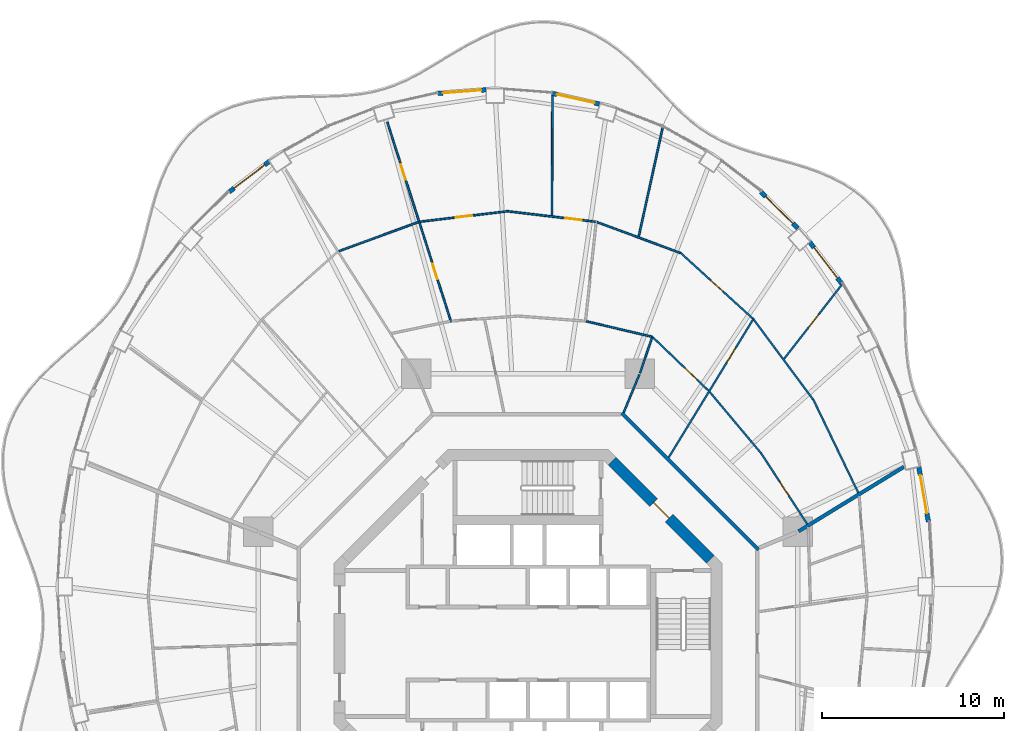
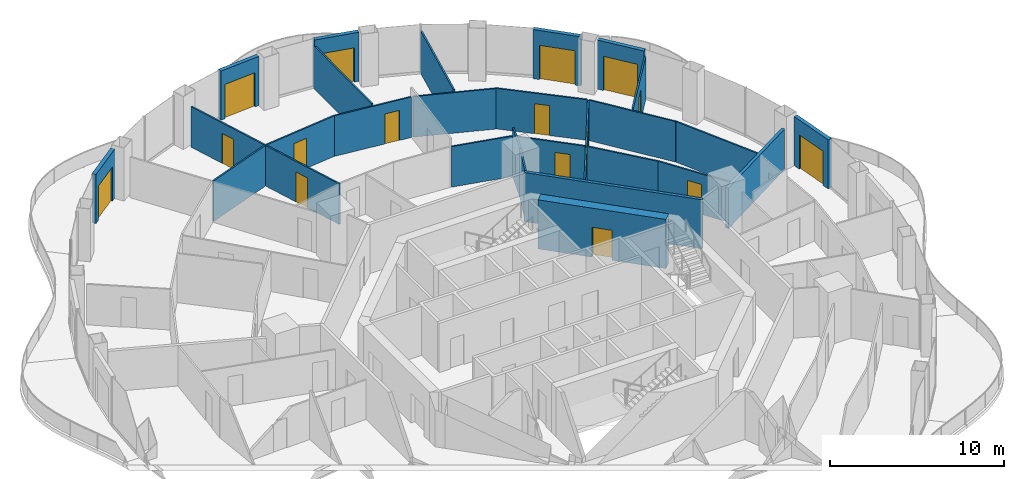
# One storey, part 14 of 18: 27 walls, 16 doors, 16 openings.
"""IFC4 building model written with IfcOpenShell, lengths in metres."""

from ifc_helpers import new_model, si_unit, direction, frame, frame_2d, origin, place, context, subcontext, project, spatial, rectangle, extrude, material, layer, layer_set, type_object, element, fill, save


model = new_model("IFC4")

# Units and contexts
model_context = context("Model", 3, precision=1e-05, world=origin(), true_north=direction((0.0, 1.0)))
body_context = subcontext(model_context, "Body", "Model", "MODEL_VIEW")
ifc_project = project(units=[si_unit("LENGTHUNIT", "METRE"), si_unit("AREAUNIT", "SQUARE_METRE"), si_unit("VOLUMEUNIT", "CUBIC_METRE"), si_unit("PLANEANGLEUNIT", "RADIAN"), si_unit("MASSUNIT", "GRAM", prefix="KILO")], contexts=[model_context])

# Site, building, storey
site_placement = place(None, origin())
site = spatial("IfcSite", under=ifc_project, at=site_placement, CompositionType="ELEMENT")
building_placement = place(site_placement, origin())
building = spatial("IfcBuilding", under=site, at=building_placement, Name="Nagisa Residences", CompositionType="ELEMENT")
storey_placement = place(building_placement, frame((0.0, 0.0, 215.89990234375)))
storey = spatial("IfcBuildingStorey", under=building, at=storey_placement, Name="L54", CompositionType="ELEMENT", Elevation=215.89990234375)

# Walls
ifc_material_1 = material(Name="Gypsum board on steel studs", Category="steel")
ifc_layer_1 = layer(ifc_material_1, 0.199951171875)
ifc_layer_set_1 = layer_set([ifc_layer_1], Name="Apartment compartment wall EI60 200")
wall_type_1 = type_object("IfcWallType", Name="Apartment compartment wall EI60 200", PredefinedType="PARTITIONING", material=ifc_layer_set_1)
wall_1_placement = place(storey_placement, frame((14.82470703125, 6.149169921875, 0.0), z_axis=(0.0, 0.0, 1.0), x_axis=(0.852781365284, 0.522268075824, 0.0)))
element("IfcWall", 1, at=wall_1_placement, inside=storey, type_object=wall_type_1, Name="wall:L54:u01", PredefinedType="PARTITIONING", context=body_context, shape_type="SweptSolid", body=[
    extrude(rectangle(XDim=6.758056640625, YDim=0.199951171875, at=frame_2d((3.37890625, 0.0))), origin(), (0.0, 0.0, 1.0), 2.837158203125),
])
ifc_material_2 = material(Name="Gypsum board on steel studs", Category="steel")
ifc_layer_2 = layer(ifc_material_2, 0.199951171875)
ifc_layer_set_2 = layer_set([ifc_layer_2], Name="Apartment entry wall EI60 200")
wall_type_2 = type_object("IfcWallType", Name="Apartment entry wall EI60 200", PredefinedType="PARTITIONING", material=ifc_layer_set_2)
wall_2_placement = place(storey_placement, frame((12.635498046875, 5.1337890625, 0.0), z_axis=(0.0, 0.0, 1.0), x_axis=(-0.707106781187, 0.707106781187, 0.0)))
element("IfcWall", 2, at=wall_2_placement, inside=storey, type_object=wall_type_2, Name="wall:L54:u09", PredefinedType="PARTITIONING", context=body_context, shape_type="SweptSolid", body=[
    extrude(rectangle(XDim=10.609130859375, YDim=0.199951171875, at=frame_2d((5.3046875, 0.0))), origin(), (0.0, 0.0, 1.0), 3.440185546875),
])

# Wall, opening, door
ifc_material_3 = material(Name="Gypsum board on steel studs", Category="steel")
ifc_layer_3 = layer(ifc_material_3, 0.10009765625)
ifc_layer_set_3 = layer_set([ifc_layer_3], Name="Apartment partition 100")
wall_type_3 = type_object("IfcWallType", Name="Apartment partition 100", PredefinedType="PARTITIONING", material=ifc_layer_set_3)
wall_3_placement = place(storey_placement, frame((15.295166015625, 6.554443359375, 0.0), z_axis=(0.0, 0.0, 1.0), x_axis=(-0.545186120363, 0.838315032767, 0.0)))
wall_3 = element("IfcWall", 3, at=wall_3_placement, inside=storey, type_object=wall_type_3, Name="wall:L54:u21", PredefinedType="PARTITIONING", context=body_context, shape_type="SweptSolid", body=[
    extrude(rectangle(XDim=4.642578125, YDim=0.10009765625, at=frame_2d((2.3212890625, 0.0))), origin(), (0.0, 0.0, 1.0), 2.837158203125),
])
opening_1_placement = place(wall_3_placement, frame((1.84619140625, 0.0, 0.0)))
opening_1 = element("IfcOpeningElement", 4, at=opening_1_placement, cuts=wall_3, Name="Opening L54-U19", PredefinedType="OPENING", context=body_context, shape_type="SweptSolid", body=[
    extrude(rectangle(XDim=0.89990234375, YDim=2.10009765625, at=frame_2d((0.449951171875, 1.050048828125))), frame((0.0, 0.06005859375, 0.0), z_axis=(0.0, -1.0, 0.0), x_axis=(1.0, 0.0, 0.0)), (0.0, 0.0, 1.0), 0.1201171875),
])
ifc_material_4 = material(Name="Timber door set", Category="wood")
door_type_1 = type_object("IfcDoorType", Name="Apartment door 900x2100", OperationType="NOTDEFINED", PredefinedType="DOOR", material=ifc_material_4)
door_1_placement = place(opening_1_placement, origin())
door_1 = element("IfcDoor", 5, at=door_1_placement, inside=storey, type_object=door_type_1, Name="Door to store, Apartment 54A", OperationType="SINGLE_SWING_LEFT", OverallHeight=2.10009765625, OverallWidth=0.89990234375, PredefinedType="DOOR", context=body_context, shape_type="SweptSolid", body=[
    extrude(rectangle(XDim=0.89990234375, YDim=2.10009765625, at=frame_2d((0.449951171875, 1.050048828125))), frame((0.0, 0.02490234375, 0.0), z_axis=(0.0, -1.0, 0.0), x_axis=(1.0, 0.0, 0.0)), (0.0, 0.0, 1.0), 0.050048828125),
])
fill(opening_1, door_1)

# Walls
wall_4_placement = place(storey_placement, frame((18.094970703125, 8.2685546875, 0.0), z_axis=(0.0, 0.0, 1.0), x_axis=(-0.434640773561, 0.900603907363, 0.0)))
element("IfcWall", 6, at=wall_4_placement, inside=storey, type_object=wall_type_3, Name="wall:L54:u22", PredefinedType="PARTITIONING", context=body_context, shape_type="SweptSolid", body=[
    extrude(rectangle(XDim=5.67431640625, YDim=0.10009765625, at=frame_2d((2.837158203125, 0.0))), origin(), (0.0, 0.0, 1.0), 2.837158203125),
])
wall_5_placement = place(storey_placement, frame((12.75927734375, 10.442626953125, 0.0), z_axis=(0.0, 0.0, 1.0), x_axis=(-0.642225196965, 0.766516011825, 0.0)))
element("IfcWall", 7, at=wall_5_placement, inside=storey, type_object=wall_type_3, Name="wall:L54:u23", PredefinedType="PARTITIONING", context=body_context, shape_type="SweptSolid", body=[
    extrude(rectangle(XDim=4.360595703125, YDim=0.10009765625, at=frame_2d((2.18017578125, 0.0))), origin(), (0.0, 0.0, 1.0), 2.837158203125),
])
wall_6_placement = place(storey_placement, frame((15.62060546875, 13.3740234375, 0.0), z_axis=(0.0, 0.0, 1.0), x_axis=(-0.596174489482, 0.8028548923, 0.0)))
element("IfcWall", 8, at=wall_6_placement, inside=storey, type_object=wall_type_3, Name="wall:L54:u24", PredefinedType="PARTITIONING", context=body_context, shape_type="SweptSolid", body=[
    extrude(rectangle(XDim=5.44189453125, YDim=0.10009765625, at=frame_2d((2.720947265625, 0.0))), origin(), (0.0, 0.0, 1.0), 2.837158203125),
])

# Wall, opening, door
wall_7_placement = place(storey_placement, frame((14.029052734375, 15.597900390625, 0.0), z_axis=(0.0, 0.0, 1.0), x_axis=(0.614558710688, 0.788871086501, 0.0)))
wall_7 = element("IfcWall", 9, at=wall_7_placement, inside=storey, type_object=wall_type_3, Name="wall:L54:u25", PredefinedType="PARTITIONING", context=body_context, shape_type="SweptSolid", body=[
    extrude(rectangle(XDim=5.276123046875, YDim=0.10009765625, at=frame_2d((2.63818359375, 0.0))), origin(), (0.0, 0.0, 1.0), 2.983154296875),
])
opening_2_placement = place(wall_7_placement, frame((2.18798828125, 0.0, 0.0)))
opening_2 = element("IfcOpeningElement", 10, at=opening_2_placement, cuts=wall_7, Name="Opening L54-U18", PredefinedType="OPENING", context=body_context, shape_type="SweptSolid", body=[
    extrude(rectangle(XDim=0.89990234375, YDim=2.10009765625, at=frame_2d((0.449951171875, 1.050048828125))), frame((0.0, 0.06005859375, 0.0), z_axis=(0.0, -1.0, 0.0), x_axis=(1.0, 0.0, 0.0)), (0.0, 0.0, 1.0), 0.1201171875),
])
door_2_placement = place(opening_2_placement, frame((0.89990234375, 0.0, 0.0), x_axis=(-1.0, 0.0, 0.0)))
door_2 = element("IfcDoor", 11, at=door_2_placement, inside=storey, type_object=door_type_1, Name="Door to master bedroom, Apartment 54A", OperationType="SINGLE_SWING_LEFT", OverallHeight=2.10009765625, OverallWidth=0.89990234375, PredefinedType="DOOR", context=body_context, shape_type="SweptSolid", body=[
    extrude(rectangle(XDim=0.89990234375, YDim=2.10009765625, at=frame_2d((0.449951171875, 1.050048828125))), frame((0.0, 0.02490234375, 0.0), z_axis=(0.0, -1.0, 0.0), x_axis=(1.0, 0.0, 0.0)), (0.0, 0.0, 1.0), 0.050048828125),
])
fill(opening_2, door_2)

wall_8_placement = place(storey_placement, frame((7.7099609375, 10.19677734375, 0.0), z_axis=(0.0, 0.0, 1.0), x_axis=(0.521477621335, 0.853264959111, 0.0)))
wall_8 = element("IfcWall", 12, at=wall_8_placement, inside=storey, type_object=wall_type_3, Name="wall:L54:u26", PredefinedType="PARTITIONING", context=body_context, shape_type="SweptSolid", body=[
    extrude(rectangle(XDim=8.941162109375, YDim=0.10009765625, at=frame_2d((4.470703125, 0.0))), origin(), (0.0, 0.0, 1.0), 2.76220703125),
])
opening_3_placement = place(wall_8_placement, frame((6.120849609375, 0.0, 0.0)))
opening_3 = element("IfcOpeningElement", 13, at=opening_3_placement, cuts=wall_8, Name="Opening L54-U17", PredefinedType="OPENING", context=body_context, shape_type="SweptSolid", body=[
    extrude(rectangle(XDim=0.89990234375, YDim=2.10009765625, at=frame_2d((0.449951171875, 1.050048828125))), frame((0.0, 0.06005859375, 0.0), z_axis=(0.0, -1.0, 0.0), x_axis=(1.0, 0.0, 0.0)), (0.0, 0.0, 1.0), 0.1201171875),
])
door_3_placement = place(opening_3_placement, frame((0.89990234375, 0.0, 0.0), x_axis=(-1.0, 0.0, 0.0)))
door_3 = element("IfcDoor", 14, at=door_3_placement, inside=storey, type_object=door_type_1, Name="Door to kitchen, Apartment 54A", OperationType="SINGLE_SWING_RIGHT", OverallHeight=2.10009765625, OverallWidth=0.89990234375, PredefinedType="DOOR", context=body_context, shape_type="SweptSolid", body=[
    extrude(rectangle(XDim=0.89990234375, YDim=2.10009765625, at=frame_2d((0.449951171875, 1.050048828125))), frame((0.0, 0.02490234375, 0.0), z_axis=(0.0, -1.0, 0.0), x_axis=(1.0, 0.0, 0.0)), (0.0, 0.0, 1.0), 0.050048828125),
])
fill(opening_3, door_3)

wall_9_placement = place(storey_placement, frame((9.890380859375, 13.858154296875, 0.0), z_axis=(0.0, 0.0, 1.0), x_axis=(-0.72167233993, 0.692234811159, 0.0)))
wall_9 = element("IfcWall", 15, at=wall_9_placement, inside=storey, type_object=wall_type_3, Name="wall:L54:u27", PredefinedType="PARTITIONING", context=body_context, shape_type="SweptSolid", body=[
    extrude(rectangle(XDim=4.312744140625, YDim=0.10009765625, at=frame_2d((2.15625, 0.0))), origin(), (0.0, 0.0, 1.0), 2.837158203125),
])
opening_4_placement = place(wall_9_placement, frame((0.882568359375, 0.0, 0.0)))
opening_4 = element("IfcOpeningElement", 16, at=opening_4_placement, cuts=wall_9, Name="Opening L54-U16", PredefinedType="OPENING", context=body_context, shape_type="SweptSolid", body=[
    extrude(rectangle(XDim=0.89990234375, YDim=2.10009765625, at=frame_2d((0.449951171875, 1.050048828125))), frame((0.0, 0.06005859375, 0.0), z_axis=(0.0, -1.0, 0.0), x_axis=(1.0, 0.0, 0.0)), (0.0, 0.0, 1.0), 0.1201171875),
])
door_4_placement = place(opening_4_placement, origin())
door_4 = element("IfcDoor", 17, at=door_4_placement, inside=storey, type_object=door_type_1, Name="Door to laundry, Apartment 54A", OperationType="SINGLE_SWING_RIGHT", OverallHeight=2.10009765625, OverallWidth=0.89990234375, PredefinedType="DOOR", context=body_context, shape_type="SweptSolid", body=[
    extrude(rectangle(XDim=0.89990234375, YDim=2.10009765625, at=frame_2d((0.449951171875, 1.050048828125))), frame((0.0, 0.02490234375, 0.0), z_axis=(0.0, -1.0, 0.0), x_axis=(1.0, 0.0, 0.0)), (0.0, 0.0, 1.0), 0.050048828125),
])
fill(opening_4, door_4)

wall_10_placement = place(storey_placement, frame((12.3095703125, 17.81689453125, 0.0), z_axis=(0.0, 0.0, 1.0), x_axis=(-0.739697052892, 0.672940019573, 0.0)))
wall_10 = element("IfcWall", 18, at=wall_10_placement, inside=storey, type_object=wall_type_3, Name="wall:L54:u28", PredefinedType="PARTITIONING", context=body_context, shape_type="SweptSolid", body=[
    extrude(rectangle(XDim=5.364990234375, YDim=0.10009765625, at=frame_2d((2.6826171875, 0.0))), origin(), (0.0, 0.0, 1.0), 2.837158203125),
])
opening_5_placement = place(wall_10_placement, frame((2.20751953125, 0.0, 0.0)))
opening_5 = element("IfcOpeningElement", 19, at=opening_5_placement, cuts=wall_10, Name="Opening L54-U15", PredefinedType="OPENING", context=body_context, shape_type="SweptSolid", body=[
    extrude(rectangle(XDim=0.89990234375, YDim=2.10009765625, at=frame_2d((0.449951171875, 1.050048828125))), frame((0.0, 0.06005859375, 0.0), z_axis=(0.0, -1.0, 0.0), x_axis=(1.0, 0.0, 0.0)), (0.0, 0.0, 1.0), 0.1201171875),
])
door_5_placement = place(opening_5_placement, frame((0.89990234375, 0.0, 0.0), x_axis=(-1.0, 0.0, 0.0)))
door_5 = element("IfcDoor", 20, at=door_5_placement, inside=storey, type_object=door_type_1, Name="Door to living room, Apartment 54A", OperationType="SINGLE_SWING_RIGHT", OverallHeight=2.10009765625, OverallWidth=0.89990234375, PredefinedType="DOOR", context=body_context, shape_type="SweptSolid", body=[
    extrude(rectangle(XDim=0.89990234375, YDim=2.10009765625, at=frame_2d((0.449951171875, 1.050048828125))), frame((0.0, 0.02490234375, 0.0), z_axis=(0.0, -1.0, 0.0), x_axis=(1.0, 0.0, 0.0)), (0.0, 0.0, 1.0), 0.050048828125),
])
fill(opening_5, door_5)

# Walls
wall_11_placement = place(storey_placement, frame((5.24267578125, 12.6572265625, 0.0), z_axis=(0.0, 0.0, 1.0), x_axis=(0.382719158442, 0.923864733477, 0.0)))
element("IfcWall", 21, at=wall_11_placement, inside=storey, type_object=wall_type_3, Name="wall:L54:u29", PredefinedType="PARTITIONING", context=body_context, shape_type="SweptSolid", body=[
    extrude(rectangle(XDim=2.25, YDim=0.10009765625, at=frame_2d((1.125, 0.0))), origin(), (0.0, 0.0, 1.0), 3.440185546875),
])
wall_12_placement = place(storey_placement, frame((6.13916015625, 14.829345703125, 0.0), z_axis=(0.0, 0.0, 1.0), x_axis=(0.32278593828, 0.946471995385, 0.0)))
element("IfcWall", 22, at=wall_12_placement, inside=storey, type_object=wall_type_3, Name="wall:L54:u30", PredefinedType="PARTITIONING", context=body_context, shape_type="SweptSolid", body=[
    extrude(rectangle(XDim=2.04150390625, YDim=0.10009765625, at=frame_2d((1.020751953125, 0.0))), origin(), (0.0, 0.0, 1.0), 3.440185546875),
])
wall_13_placement = place(storey_placement, frame((6.765625, 16.8203125, 0.0), z_axis=(0.0, 0.0, 1.0), x_axis=(-0.973612608559, 0.22820711745, 0.0)))
element("IfcWall", 23, at=wall_13_placement, inside=storey, type_object=wall_type_3, Name="wall:L54:u31", PredefinedType="PARTITIONING", context=body_context, shape_type="SweptSolid", body=[
    extrude(rectangle(XDim=3.6630859375, YDim=0.10009765625, at=frame_2d((1.83154296875, 0.0))), origin(), (0.0, 0.0, 1.0), 2.837158203125),
])
wall_14_placement = place(storey_placement, frame((8.3310546875, 21.410888671875, 0.0), z_axis=(0.0, 0.0, 1.0), x_axis=(-0.937891982431, 0.346927412136, 0.0)))
element("IfcWall", 24, at=wall_14_placement, inside=storey, type_object=wall_type_3, Name="wall:L54:u32", PredefinedType="PARTITIONING", context=body_context, shape_type="SweptSolid", body=[
    extrude(rectangle(XDim=4.85009765625, YDim=0.10009765625, at=frame_2d((2.425048828125, 0.0))), origin(), (0.0, 0.0, 1.0), 2.837158203125),
])
wall_15_placement = place(storey_placement, frame((6.0673828125, 22.301025390625, 0.0), z_axis=(0.0, 0.0, 1.0), x_axis=(0.214401821533, 0.976745544614, 0.0)))
element("IfcWall", 25, at=wall_15_placement, inside=storey, type_object=wall_type_3, Name="wall:L54:u33", PredefinedType="PARTITIONING", context=body_context, shape_type="SweptSolid", body=[
    extrude(rectangle(XDim=6.2275390625, YDim=0.10009765625, at=frame_2d((3.11376953125, 0.0))), origin(), (0.0, 0.0, 1.0), 2.983154296875),
])

# Wall, opening, door
wall_16_placement = place(storey_placement, frame((3.685791015625, 23.11669921875, 0.0), z_axis=(0.0, 0.0, 1.0), x_axis=(-0.992965872314, 0.11840091393, 0.0)))
wall_16 = element("IfcWall", 26, at=wall_16_placement, inside=storey, type_object=wall_type_3, Name="wall:L54:u36", PredefinedType="PARTITIONING", context=body_context, shape_type="SweptSolid", body=[
    extrude(rectangle(XDim=4.785888671875, YDim=0.10009765625, at=frame_2d((2.39306640625, 0.0))), origin(), (0.0, 0.0, 1.0), 2.837158203125),
])
opening_6_placement = place(wall_16_placement, frame((0.746337890625, 0.0, 0.0)))
opening_6 = element("IfcOpeningElement", 27, at=opening_6_placement, cuts=wall_16, Name="Opening L54-U08", PredefinedType="OPENING", context=body_context, shape_type="SweptSolid", body=[
    extrude(rectangle(XDim=0.89990234375, YDim=2.10009765625, at=frame_2d((0.449951171875, 1.050048828125))), frame((0.0, 0.06005859375, 0.0), z_axis=(0.0, -1.0, 0.0), x_axis=(1.0, 0.0, 0.0)), (0.0, 0.0, 1.0), 0.1201171875),
])
door_6_placement = place(opening_6_placement, frame((0.89990234375, 0.0, 0.0), x_axis=(-1.0, 0.0, 0.0)))
door_6 = element("IfcDoor", 28, at=door_6_placement, inside=storey, type_object=door_type_1, Name="Door to master bedroom, Apartment 54A", OperationType="SINGLE_SWING_LEFT", OverallHeight=2.10009765625, OverallWidth=0.89990234375, PredefinedType="DOOR", context=body_context, shape_type="SweptSolid", body=[
    extrude(rectangle(XDim=0.89990234375, YDim=2.10009765625, at=frame_2d((0.449951171875, 1.050048828125))), frame((0.0, 0.02490234375, 0.0), z_axis=(0.0, -1.0, 0.0), x_axis=(1.0, 0.0, 0.0)), (0.0, 0.0, 1.0), 0.050048828125),
])
fill(opening_6, door_6)

# Wall
wall_17_placement = place(storey_placement, frame((1.309814453125, 23.449951171875, 0.0), z_axis=(0.0, 0.0, 1.0), x_axis=(0.004678732305, 0.999989054672, 0.0)))
element("IfcWall", 29, at=wall_17_placement, inside=storey, type_object=wall_type_3, Name="wall:L54:u37", PredefinedType="PARTITIONING", context=body_context, shape_type="SweptSolid", body=[
    extrude(rectangle(XDim=6.783447265625, YDim=0.10009765625, at=frame_2d((3.3916015625, 0.0))), origin(), (0.0, 0.0, 1.0), 2.983154296875),
])

# Wall, opening, door
wall_18_placement = place(storey_placement, frame((-1.06640625, 23.6953125, 0.0), z_axis=(0.0, 0.0, 1.0), x_axis=(-0.992962413335, -0.118429918957, 0.0)))
wall_18 = element("IfcWall", 30, at=wall_18_placement, inside=storey, type_object=wall_type_3, Name="wall:L54:u39", PredefinedType="PARTITIONING", context=body_context, shape_type="SweptSolid", body=[
    extrude(rectangle(XDim=4.8857421875, YDim=0.10009765625, at=frame_2d((2.44287109375, 0.0))), origin(), (0.0, 0.0, 1.0), 2.837158203125),
])
opening_7_placement = place(wall_18_placement, frame((2.017822265625, 0.0, 0.0)))
opening_7 = element("IfcOpeningElement", 31, at=opening_7_placement, cuts=wall_18, Name="Opening L54-U09", PredefinedType="OPENING", context=body_context, shape_type="SweptSolid", body=[
    extrude(rectangle(XDim=0.89990234375, YDim=2.10009765625, at=frame_2d((0.449951171875, 1.050048828125))), frame((0.0, 0.06005859375, 0.0), z_axis=(0.0, -1.0, 0.0), x_axis=(1.0, 0.0, 0.0)), (0.0, 0.0, 1.0), 0.1201171875),
])
door_7_placement = place(opening_7_placement, frame((0.89990234375, 0.0, 0.0), x_axis=(-1.0, 0.0, 0.0)))
door_7 = element("IfcDoor", 32, at=door_7_placement, inside=storey, type_object=door_type_1, Name="Door to family room, Apartment 54A", OperationType="SINGLE_SWING_RIGHT", OverallHeight=2.10009765625, OverallWidth=0.89990234375, PredefinedType="DOOR", context=body_context, shape_type="SweptSolid", body=[
    extrude(rectangle(XDim=0.89990234375, YDim=2.10009765625, at=frame_2d((0.449951171875, 1.050048828125))), frame((0.0, 0.02490234375, 0.0), z_axis=(0.0, -1.0, 0.0), x_axis=(1.0, 0.0, 0.0)), (0.0, 0.0, 1.0), 0.050048828125),
])
fill(opening_7, door_7)

# Wall, openings, doors
wall_19_placement = place(storey_placement, frame((-4.21533203125, 17.6201171875, 0.0), z_axis=(0.0, 0.0, 1.0), x_axis=(-0.303985237897, 0.952676742206, 0.0)))
wall_19 = element("IfcWall", 33, at=wall_19_placement, inside=storey, type_object=wall_type_3, Name="wall:L54:u41", PredefinedType="PARTITIONING", context=body_context, shape_type="SweptSolid", body=[
    extrude(rectangle(XDim=11.499267578125, YDim=0.10009765625, at=frame_2d((5.74951171875, 0.0))), origin(), (0.0, 0.0, 1.0), 2.837158203125),
])
opening_8_placement = place(wall_19_placement, frame((2.456787109375, 0.0, 0.0)))
opening_8 = element("IfcOpeningElement", 34, at=opening_8_placement, cuts=wall_19, Name="Opening L54-U05", PredefinedType="OPENING", context=body_context, shape_type="SweptSolid", body=[
    extrude(rectangle(XDim=0.89990234375, YDim=2.10009765625, at=frame_2d((0.449951171875, 1.050048828125))), frame((0.0, 0.06005859375, 0.0), z_axis=(0.0, -1.0, 0.0), x_axis=(1.0, 0.0, 0.0)), (0.0, 0.0, 1.0), 0.1201171875),
])
opening_9_placement = place(wall_19_placement, frame((8.181396484375, 0.0, 0.0)))
opening_9 = element("IfcOpeningElement", 35, at=opening_9_placement, cuts=wall_19, Name="Opening L54-U10", PredefinedType="OPENING", context=body_context, shape_type="SweptSolid", body=[
    extrude(rectangle(XDim=0.89990234375, YDim=2.10009765625, at=frame_2d((0.449951171875, 1.050048828125))), frame((0.0, 0.06005859375, 0.0), z_axis=(0.0, -1.0, 0.0), x_axis=(1.0, 0.0, 0.0)), (0.0, 0.0, 1.0), 0.1201171875),
])
door_8_placement = place(opening_8_placement, origin())
door_8 = element("IfcDoor", 36, at=door_8_placement, inside=storey, type_object=door_type_1, Name="Door to dining room, Apartment 54A", OperationType="SINGLE_SWING_LEFT", OverallHeight=2.10009765625, OverallWidth=0.89990234375, PredefinedType="DOOR", context=body_context, shape_type="SweptSolid", body=[
    extrude(rectangle(XDim=0.89990234375, YDim=2.10009765625, at=frame_2d((0.449951171875, 1.050048828125))), frame((0.0, 0.02490234375, 0.0), z_axis=(0.0, -1.0, 0.0), x_axis=(1.0, 0.0, 0.0)), (0.0, 0.0, 1.0), 0.050048828125),
])
fill(opening_8, door_8)
door_9_placement = place(opening_9_placement, origin())
door_9 = element("IfcDoor", 37, at=door_9_placement, inside=storey, type_object=door_type_1, Name="Door to tatami room, Apartment 54A", OperationType="SINGLE_SWING_RIGHT", OverallHeight=2.10009765625, OverallWidth=0.89990234375, PredefinedType="DOOR", context=body_context, shape_type="SweptSolid", body=[
    extrude(rectangle(XDim=0.89990234375, YDim=2.10009765625, at=frame_2d((0.449951171875, 1.050048828125))), frame((0.0, 0.02490234375, 0.0), z_axis=(0.0, -1.0, 0.0), x_axis=(1.0, 0.0, 0.0)), (0.0, 0.0, 1.0), 0.050048828125),
])
fill(opening_9, door_9)

# Wall
wall_20_placement = place(storey_placement, frame((-6.01416015625, 23.093505859375, 0.0), z_axis=(0.0, 0.0, 1.0), x_axis=(-0.939417400947, -0.342775359089, 0.0)))
element("IfcWall", 38, at=wall_20_placement, inside=storey, type_object=wall_type_3, Name="wall:L54:u43", PredefinedType="PARTITIONING", context=body_context, shape_type="SweptSolid", body=[
    extrude(rectangle(XDim=4.632568359375, YDim=0.10009765625, at=frame_2d((2.31640625, 0.0))), origin(), (0.0, 0.0, 1.0), 2.837158203125),
])

# Wall, opening, door
ifc_material_5 = material(Name="Precast concrete C40/50", Category="concrete")
ifc_layer_4 = layer(ifc_material_5, 0.25)
ifc_layer_set_4 = layer_set([ifc_layer_4], Name="BALCONY DOOR WALL 250")
wall_type_4 = type_object("IfcWallType", Name="BALCONY DOOR WALL 250", PredefinedType="SOLIDWALL", material=ifc_layer_set_4)
wall_21_placement = place(storey_placement, frame((21.412841796875, 9.692626953125, 0.0), z_axis=(0.0, 0.0, 1.0), x_axis=(0.172177583768, -0.985065926549, 0.0)))
wall_21 = element("IfcWall", 39, at=wall_21_placement, inside=storey, type_object=wall_type_4, Name="wall:L54:bay01", PredefinedType="SOLIDWALL", context=body_context, shape_type="SweptSolid", body=[
    extrude(rectangle(XDim=3.067138671875, YDim=0.25, at=frame_2d((1.53369140625, 0.0))), origin(), (0.0, 0.0, 1.0), 3.440185546875),
])
opening_10_placement = place(wall_21_placement, frame((0.483642578125, 0.0, 0.0)))
opening_10 = element("IfcOpeningElement", 40, at=opening_10_placement, cuts=wall_21, Name="Opening BD-L54-01", PredefinedType="OPENING", context=body_context, shape_type="SweptSolid", body=[
    extrude(rectangle(XDim=2.10009765625, YDim=2.39990234375, at=frame_2d((1.050048828125, 1.199951171875))), frame((0.0, 0.135009765625, 0.0), z_axis=(0.0, -1.0, 0.0), x_axis=(1.0, 0.0, 0.0)), (0.0, 0.0, 1.0), 0.27001953125),
])
ifc_material_6 = material(Name="Aluminium and clear glass", Category="aluminium")
door_type_2 = type_object("IfcDoorType", Name="BALCONY SLIDING DOOR 2100x2400", OperationType="SLIDING_TO_LEFT", PredefinedType="DOOR", material=ifc_material_6)
door_10_placement = place(opening_10_placement, origin())
door_10 = element("IfcDoor", 41, at=door_10_placement, inside=storey, type_object=door_type_2, Name="door:L54:bay01", OperationType="SLIDING_TO_LEFT", OverallHeight=2.39990234375, OverallWidth=2.10009765625, PredefinedType="DOOR", context=body_context, shape_type="SweptSolid", body=[
    extrude(rectangle(XDim=2.10009765625, YDim=2.39990234375, at=frame_2d((1.050048828125, 1.199951171875))), frame((0.0, 0.02490234375, 0.0), z_axis=(0.0, -1.0, 0.0), x_axis=(1.0, 0.0, 0.0)), (0.0, 0.0, 1.0), 0.050048828125),
])
fill(opening_10, door_10)

wall_22_placement = place(storey_placement, frame((15.42626953125, 22.012939453125, 0.0), z_axis=(0.0, 0.0, 1.0), x_axis=(0.610438565676, -0.792063607001, 0.0)))
wall_22 = element("IfcWall", 42, at=wall_22_placement, inside=storey, type_object=wall_type_4, Name="wall:L54:bay05", PredefinedType="SOLIDWALL", context=body_context, shape_type="SweptSolid", body=[
    extrude(rectangle(XDim=2.90087890625, YDim=0.25, at=frame_2d((1.450439453125, 0.0))), origin(), (0.0, 0.0, 1.0), 3.440185546875),
])
opening_11_placement = place(wall_22_placement, frame((0.400390625, 0.0, 0.0)))
opening_11 = element("IfcOpeningElement", 43, at=opening_11_placement, cuts=wall_22, Name="Opening BD-L54-02", PredefinedType="OPENING", context=body_context, shape_type="SweptSolid", body=[
    extrude(rectangle(XDim=2.10009765625, YDim=2.39990234375, at=frame_2d((1.050048828125, 1.199951171875))), frame((0.0, 0.135009765625, 0.0), z_axis=(0.0, -1.0, 0.0), x_axis=(1.0, 0.0, 0.0)), (0.0, 0.0, 1.0), 0.27001953125),
])
door_11_placement = place(opening_11_placement, origin())
door_11 = element("IfcDoor", 44, at=door_11_placement, inside=storey, type_object=door_type_2, Name="door:L54:bay05", OperationType="SLIDING_TO_LEFT", OverallHeight=2.39990234375, OverallWidth=2.10009765625, PredefinedType="DOOR", context=body_context, shape_type="SweptSolid", body=[
    extrude(rectangle(XDim=2.10009765625, YDim=2.39990234375, at=frame_2d((1.050048828125, 1.199951171875))), frame((0.0, 0.02490234375, 0.0), z_axis=(0.0, -1.0, 0.0), x_axis=(1.0, 0.0, 0.0)), (0.0, 0.0, 1.0), 0.050048828125),
])
fill(opening_11, door_11)

wall_23_placement = place(storey_placement, frame((12.7646484375, 24.75927734375, 0.0), z_axis=(0.0, 0.0, 1.0), x_axis=(0.707793125551, -0.706419769983, 0.0)))
wall_23 = element("IfcWall", 45, at=wall_23_placement, inside=storey, type_object=wall_type_4, Name="wall:L54:bay06", PredefinedType="SOLIDWALL", context=body_context, shape_type="SweptSolid", body=[
    extrude(rectangle(XDim=2.84423828125, YDim=0.25, at=frame_2d((1.422119140625, 0.0))), origin(), (0.0, 0.0, 1.0), 3.440185546875),
])
opening_12_placement = place(wall_23_placement, frame((0.3720703125, 0.0, 0.0)))
opening_12 = element("IfcOpeningElement", 46, at=opening_12_placement, cuts=wall_23, Name="Opening BD-L54-03", PredefinedType="OPENING", context=body_context, shape_type="SweptSolid", body=[
    extrude(rectangle(XDim=2.10009765625, YDim=2.39990234375, at=frame_2d((1.050048828125, 1.199951171875))), frame((0.0, 0.135009765625, 0.0), z_axis=(0.0, -1.0, 0.0), x_axis=(1.0, 0.0, 0.0)), (0.0, 0.0, 1.0), 0.27001953125),
])
door_12_placement = place(opening_12_placement, origin())
door_12 = element("IfcDoor", 47, at=door_12_placement, inside=storey, type_object=door_type_2, Name="door:L54:bay06", OperationType="SLIDING_TO_LEFT", OverallHeight=2.39990234375, OverallWidth=2.10009765625, PredefinedType="DOOR", context=body_context, shape_type="SweptSolid", body=[
    extrude(rectangle(XDim=2.10009765625, YDim=2.39990234375, at=frame_2d((1.050048828125, 1.199951171875))), frame((0.0, 0.02490234375, 0.0), z_axis=(0.0, -1.0, 0.0), x_axis=(1.0, 0.0, 0.0)), (0.0, 0.0, 1.0), 0.050048828125),
])
fill(opening_12, door_12)

wall_24_placement = place(storey_placement, frame((1.314208984375, 30.1513671875, 0.0), z_axis=(0.0, 0.0, 1.0), x_axis=(0.975324089124, -0.220777990694, 0.0)))
wall_24 = element("IfcWall", 48, at=wall_24_placement, inside=storey, type_object=wall_type_4, Name="wall:L54:bay10", PredefinedType="SOLIDWALL", context=body_context, shape_type="SweptSolid", body=[
    extrude(rectangle(XDim=2.666015625, YDim=0.25, at=frame_2d((1.3330078125, 0.0))), origin(), (0.0, 0.0, 1.0), 3.440185546875),
])
opening_13_placement = place(wall_24_placement, frame((0.282958984375, 0.0, 0.0)))
opening_13 = element("IfcOpeningElement", 49, at=opening_13_placement, cuts=wall_24, Name="Opening BD-L54-04", PredefinedType="OPENING", context=body_context, shape_type="SweptSolid", body=[
    extrude(rectangle(XDim=2.10009765625, YDim=2.39990234375, at=frame_2d((1.050048828125, 1.199951171875))), frame((0.0, 0.135009765625, 0.0), z_axis=(0.0, -1.0, 0.0), x_axis=(1.0, 0.0, 0.0)), (0.0, 0.0, 1.0), 0.27001953125),
])
door_13_placement = place(opening_13_placement, origin())
door_13 = element("IfcDoor", 50, at=door_13_placement, inside=storey, type_object=door_type_2, Name="door:L54:bay10", OperationType="SLIDING_TO_LEFT", OverallHeight=2.39990234375, OverallWidth=2.10009765625, PredefinedType="DOOR", context=body_context, shape_type="SweptSolid", body=[
    extrude(rectangle(XDim=2.10009765625, YDim=2.39990234375, at=frame_2d((1.050048828125, 1.199951171875))), frame((0.0, 0.02490234375, 0.0), z_axis=(0.0, -1.0, 0.0), x_axis=(1.0, 0.0, 0.0)), (0.0, 0.0, 1.0), 0.050048828125),
])
fill(opening_13, door_13)

wall_25_placement = place(storey_placement, frame((-4.932373046875, 30.148681640625, 0.0), z_axis=(0.0, 0.0, 1.0), x_axis=(0.997226380387, 0.07442812815, 0.0)))
wall_25 = element("IfcWall", 51, at=wall_25_placement, inside=storey, type_object=wall_type_4, Name="wall:L54:bay12", PredefinedType="SOLIDWALL", context=body_context, shape_type="SweptSolid", body=[
    extrude(rectangle(XDim=2.650390625, YDim=0.25, at=frame_2d((1.3251953125, 0.0))), origin(), (0.0, 0.0, 1.0), 3.440185546875),
])
opening_14_placement = place(wall_25_placement, frame((0.275146484375, 0.0, 0.0)))
opening_14 = element("IfcOpeningElement", 52, at=opening_14_placement, cuts=wall_25, Name="Opening BD-L54-05", PredefinedType="OPENING", context=body_context, shape_type="SweptSolid", body=[
    extrude(rectangle(XDim=2.10009765625, YDim=2.39990234375, at=frame_2d((1.050048828125, 1.199951171875))), frame((0.0, 0.135009765625, 0.0), z_axis=(0.0, -1.0, 0.0), x_axis=(1.0, 0.0, 0.0)), (0.0, 0.0, 1.0), 0.27001953125),
])
door_14_placement = place(opening_14_placement, origin())
door_14 = element("IfcDoor", 53, at=door_14_placement, inside=storey, type_object=door_type_2, Name="door:L54:bay12", OperationType="SLIDING_TO_LEFT", OverallHeight=2.39990234375, OverallWidth=2.10009765625, PredefinedType="DOOR", context=body_context, shape_type="SweptSolid", body=[
    extrude(rectangle(XDim=2.10009765625, YDim=2.39990234375, at=frame_2d((1.050048828125, 1.199951171875))), frame((0.0, 0.02490234375, 0.0), z_axis=(0.0, -1.0, 0.0), x_axis=(1.0, 0.0, 0.0)), (0.0, 0.0, 1.0), 0.050048828125),
])
fill(opening_14, door_14)

wall_26_placement = place(storey_placement, frame((-16.377197265625, 24.748046875, 0.0), z_axis=(0.0, 0.0, 1.0), x_axis=(0.795990084031, 0.60530966135, 0.0)))
wall_26 = element("IfcWall", 54, at=wall_26_placement, inside=storey, type_object=wall_type_4, Name="wall:L54:bay16", PredefinedType="SOLIDWALL", context=body_context, shape_type="SweptSolid", body=[
    extrude(rectangle(XDim=2.78857421875, YDim=0.25, at=frame_2d((1.394287109375, 0.0))), origin(), (0.0, 0.0, 1.0), 3.440185546875),
])
opening_15_placement = place(wall_26_placement, frame((0.34423828125, 0.0, 0.0)))
opening_15 = element("IfcOpeningElement", 55, at=opening_15_placement, cuts=wall_26, Name="Opening BD-L54-06", PredefinedType="OPENING", context=body_context, shape_type="SweptSolid", body=[
    extrude(rectangle(XDim=2.10009765625, YDim=2.39990234375, at=frame_2d((1.050048828125, 1.199951171875))), frame((0.0, 0.135009765625, 0.0), z_axis=(0.0, -1.0, 0.0), x_axis=(1.0, 0.0, 0.0)), (0.0, 0.0, 1.0), 0.27001953125),
])
door_15_placement = place(opening_15_placement, origin())
door_15 = element("IfcDoor", 56, at=door_15_placement, inside=storey, type_object=door_type_2, Name="door:L54:bay16", OperationType="SLIDING_TO_LEFT", OverallHeight=2.39990234375, OverallWidth=2.10009765625, PredefinedType="DOOR", context=body_context, shape_type="SweptSolid", body=[
    extrude(rectangle(XDim=2.10009765625, YDim=2.39990234375, at=frame_2d((1.050048828125, 1.199951171875))), frame((0.0, 0.02490234375, 0.0), z_axis=(0.0, -1.0, 0.0), x_axis=(1.0, 0.0, 0.0)), (0.0, 0.0, 1.0), 0.050048828125),
])
fill(opening_15, door_15)

ifc_material_7 = material(Name="Concrete C60", Category="concrete")
ifc_layer_5 = layer(ifc_material_7, 0.60009765625)
ifc_layer_set_5 = layer_set([ifc_layer_5], Name="Core shear wall 600")
wall_type_5 = type_object("IfcWallType", Name="Core shear wall 600", PredefinedType="SHEAR", material=ifc_layer_set_5)
wall_27_placement = place(storey_placement, frame((9.98828125, 4.613037109375, 0.0), z_axis=(0.0, 0.0, 1.0), x_axis=(-0.707106781187, 0.707106781187, 0.0)))
wall_27 = element("IfcWall", 57, at=wall_27_placement, inside=storey, type_object=wall_type_5, Name="wall:L54:core:flat1", PredefinedType="SHEAR", context=body_context, shape_type="SweptSolid", body=[
    extrude(rectangle(XDim=7.601806640625, YDim=0.60009765625, at=frame_2d((3.80078125, 0.0))), origin(), (0.0, 0.0, 1.0), 3.440185546875),
])
opening_16_placement = place(wall_27_placement, frame((3.200927734375, 0.0, 0.0)))
opening_16 = element("IfcOpeningElement", 58, at=opening_16_placement, cuts=wall_27, Name="Opening L54-C18", PredefinedType="OPENING", context=body_context, shape_type="SweptSolid", body=[
    extrude(rectangle(XDim=1.199951171875, YDim=2.10009765625, at=frame_2d((0.60009765625, 1.050048828125))), frame((0.0, 0.31005859375, 0.0), z_axis=(0.0, -1.0, 0.0), x_axis=(1.0, 0.0, 0.0)), (0.0, 0.0, 1.0), 0.6201171875),
])
ifc_material_8 = material(Name="Steel fire door", Category="steel")
door_type_3 = type_object("IfcDoorType", Name="Fire door EI60 1200x2100 single swing", OperationType="NOTDEFINED", PredefinedType="DOOR", material=ifc_material_8)
door_16_placement = place(opening_16_placement, origin())
door_16 = element("IfcDoor", 59, at=door_16_placement, inside=storey, type_object=door_type_3, Name="Firefighting lobby 1 door L54", OperationType="SINGLE_SWING_RIGHT", OverallHeight=2.10009765625, OverallWidth=1.199951171875, PredefinedType="DOOR", context=body_context, shape_type="SweptSolid", body=[
    extrude(rectangle(XDim=1.199951171875, YDim=2.10009765625, at=frame_2d((0.60009765625, 1.050048828125))), frame((0.0, 0.02490234375, 0.0), z_axis=(0.0, -1.0, 0.0), x_axis=(1.0, 0.0, 0.0)), (0.0, 0.0, 1.0), 0.050048828125),
])
fill(opening_16, door_16)

save(model, "model.ifc")
